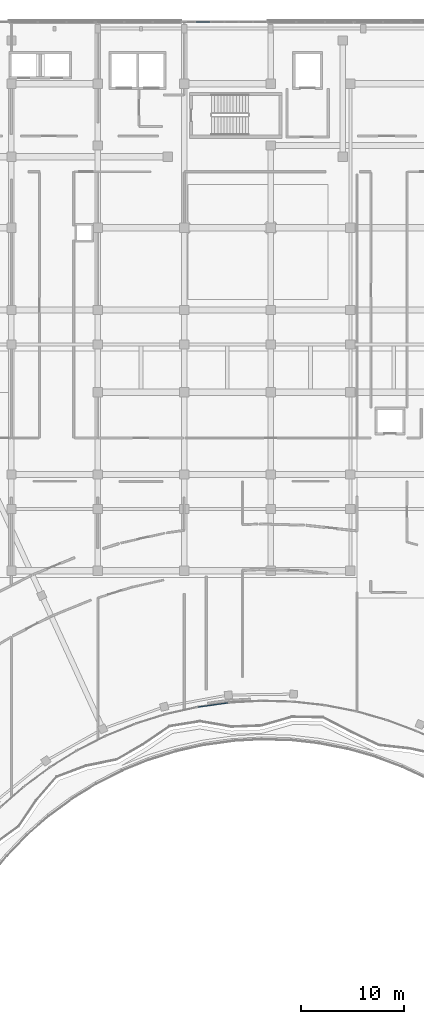
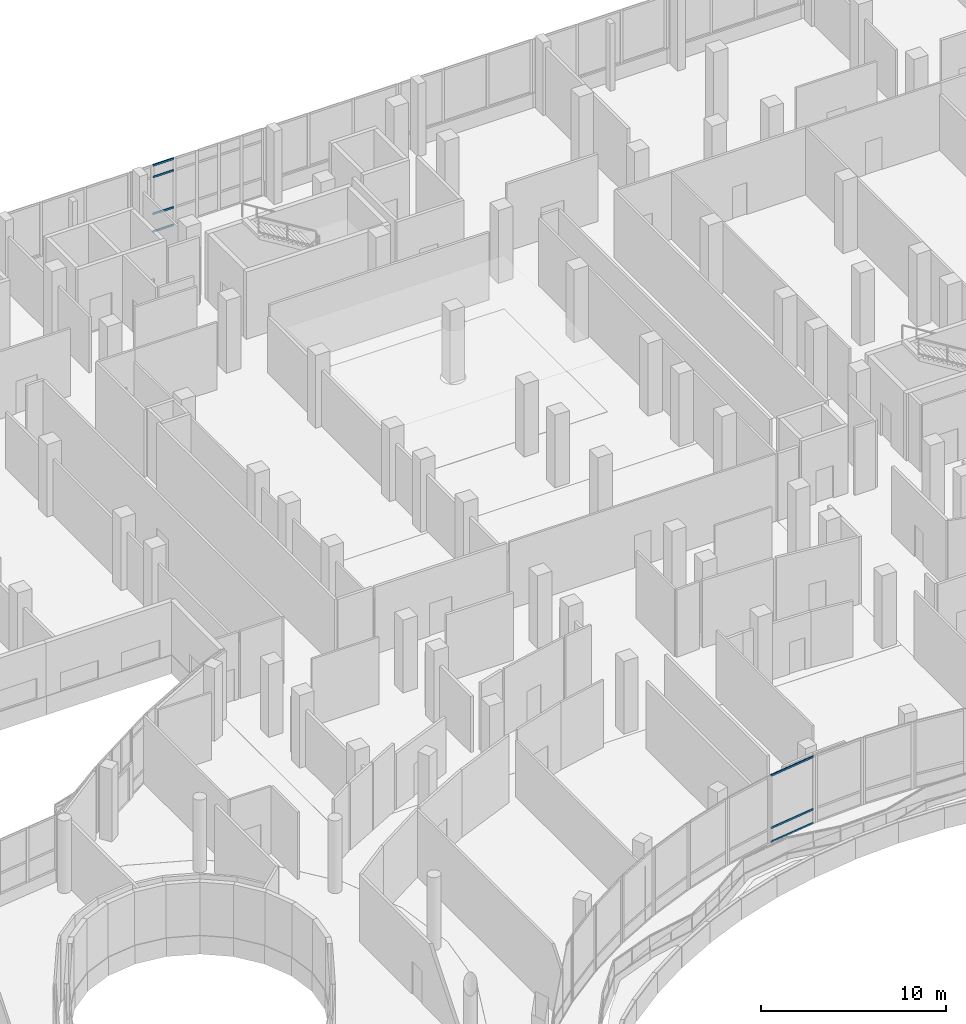
# One storey, part 100 of 168: 7 members, 2 elements without a shape of their own.
"""IFC4 building model written with IfcOpenShell, lengths in metres."""

import ifcopenshell
import ifcopenshell.guid

model = None  # the IFC model being written
_history = None  # IfcOwnerHistory: only IFC2X3 demands one
_inside = {}  # id of a spatial element -> (the spatial element, [elements in it])
_under = {}  # id of a project, library or spatial element -> (it, [spatial elements below it])
_declared = {}  # id of a project -> (the project, [libraries it declares])
_typed = {}  # id of a type object -> (the type object, [elements of that type])
_made_of = {}  # id of a material, layer set ... -> (it, [elements and type objects made of it])


def new_model(schema):
    """Start an empty IFC model of exactly this schema.

    Asked for "IFC4X3", IfcOpenShell would pick the latest addendum, in which some entities
    have other attributes; the version numbers below select the first issue.
    IFC2X3 requires an IfcOwnerHistory on every rooted entity: one is made here for all.
    """
    global model, _history
    if schema == "IFC4X3":
        model = ifcopenshell.file(schema_version=(4, 3, 0, 0))
    else:
        model = ifcopenshell.file(schema=schema)
    _inside.clear()
    _under.clear()
    _declared.clear()
    _typed.clear()
    _made_of.clear()
    _history = None
    if model.schema == "IFC2X3":
        org = make("IfcOrganization", Name="unknown")
        user = make(
            "IfcPersonAndOrganization",
            ThePerson=make("IfcPerson", FamilyName="unknown"),
            TheOrganization=org,
        )
        app = make(
            "IfcApplication",
            ApplicationDeveloper=org,
            Version="unknown",
            ApplicationFullName="unknown",
            ApplicationIdentifier="unknown",
        )
        _history = make(
            "IfcOwnerHistory",
            OwningUser=user,
            OwningApplication=app,
            ChangeAction="ADDED",
            CreationDate=0,
        )
    return model


def make(cls, **values):
    """One entity of the class cls with the attributes given. An attribute that is None is left unset."""
    return model.create_entity(
        cls, **{name: value for name, value in values.items() if value is not None}
    )


def rooted(cls, **values):
    """An entity with a GlobalId (a new one), such as an element, a storey or a relation."""
    return make(cls, GlobalId=ifcopenshell.guid.new(), OwnerHistory=_history, **values)


def si_unit(unit_type, name, prefix=None):
    """IfcSIUnit, for example si_unit("LENGTHUNIT", "METRE", prefix="MILLI")."""
    return make("IfcSIUnit", UnitType=unit_type, Prefix=prefix, Name=name)


def assignment(units):
    """IfcUnitAssignment: the units of a project."""
    return None if units is None else make("IfcUnitAssignment", Units=units)


def point(xyz):
    """IfcCartesianPoint."""
    return None if xyz is None else make("IfcCartesianPoint", Coordinates=xyz)


def direction(xyz):
    """IfcDirection."""
    return None if xyz is None else make("IfcDirection", DirectionRatios=xyz)


def frame(location, z_axis=None, x_axis=None):
    """IfcAxis2Placement3D, a coordinate frame: its origin and axes. An axis left out is left unset."""
    return make(
        "IfcAxis2Placement3D",
        Location=point(location),
        Axis=direction(z_axis),
        RefDirection=direction(x_axis),
    )


def frame_2d(location, x_axis=None):
    """IfcAxis2Placement2D, a coordinate frame in the plane: its origin and x axis."""
    return make(
        "IfcAxis2Placement2D", Location=point(location), RefDirection=direction(x_axis)
    )


def origin():
    """The frame at (0, 0, 0) with its axes left unset."""
    return frame((0.0, 0.0, 0.0))


def origin_2d():
    """The frame at (0, 0) in the plane with its x axis left unset."""
    return frame_2d((0.0, 0.0))


def place(relative_to, where):
    """IfcLocalPlacement: puts the frame where relative to a parent placement (None: the world)."""
    return make(
        "IfcLocalPlacement", PlacementRelTo=relative_to, RelativePlacement=where
    )


def context(
    kind, dimensions, precision=None, world=None, true_north=None, identifier=None
):
    """IfcGeometricRepresentationContext, for example the 3D "Model" context."""
    return make(
        "IfcGeometricRepresentationContext",
        ContextIdentifier=identifier,
        ContextType=kind,
        CoordinateSpaceDimension=dimensions,
        Precision=precision,
        WorldCoordinateSystem=world,
        TrueNorth=true_north,
    )


def subcontext(parent, identifier, kind, view, scale=None):
    """IfcGeometricRepresentationSubContext, for example "Body" below "Model"."""
    return make(
        "IfcGeometricRepresentationSubContext",
        ContextIdentifier=identifier,
        ContextType=kind,
        ParentContext=parent,
        TargetScale=scale,
        TargetView=view,
    )


def project(units=None, contexts=None):
    """IfcProject with its units and contexts."""
    return rooted(
        "IfcProject",
        Name="project",
        RepresentationContexts=contexts,
        UnitsInContext=assignment(units),
    )


def spatial(cls, under=None, at=None, **own):
    """A site, building, storey or space (cls), placed at a placement, below another one or the project."""
    s = rooted(cls, ObjectPlacement=at, **own)
    if under is not None:
        _under.setdefault(under.id(), (under, []))[1].append(s)
    return s


def profile(cls, at=None, kind="AREA", **sizes):
    """A parametric profile (cls). Its sizes go by their IFC names, for example OverallWidth=200.0."""
    return make(cls, ProfileType=kind, Position=at, **sizes)


def hollow_rectangle(**sizes):
    """IfcRectangleHollowProfileDef."""
    return profile("IfcRectangleHollowProfileDef", **sizes)


def extrude(swept, where, along, depth):
    """IfcExtrudedAreaSolid: the profile swept, set in the frame where, extruded along a direction by depth."""
    return make(
        "IfcExtrudedAreaSolid",
        SweptArea=swept,
        Position=where,
        ExtrudedDirection=direction(along),
        Depth=depth,
    )


def shape(context_of_items, identifier, shape_type, items):
    """IfcShapeRepresentation: the items that make up one representation, for example the "Body"."""
    return make(
        "IfcShapeRepresentation",
        ContextOfItems=context_of_items,
        RepresentationIdentifier=identifier,
        RepresentationType=shape_type,
        Items=items,
    )


def material(Name=None, Category=None):
    """IfcMaterial."""
    return make("IfcMaterial", Name=Name, Category=Category)


def material_profile(
    of_material, cross_section, Name=None, Category=None, Priority=None
):
    """IfcMaterialProfile: a cross section and its material."""
    return make(
        "IfcMaterialProfile",
        Name=Name,
        Material=of_material,
        Profile=cross_section,
        Priority=Priority,
        Category=Category,
    )


def profile_set(profiles, Name=None, composite=None):
    """IfcMaterialProfileSet."""
    return make(
        "IfcMaterialProfileSet",
        Name=Name,
        MaterialProfiles=profiles,
        CompositeProfile=composite,
    )


def made_of(thing, what):
    """Note that an element or type object is made of a material, layer set ...; save() writes the relation."""
    if what is not None:
        _made_of.setdefault(what.id(), (what, []))[1].append(thing)
    return thing


def type_object(cls, material=None, **own):
    """A type object (cls), such as IfcWallType, which elements share."""
    return made_of(rooted(cls, **own), material)


def element(
    cls,
    number,
    at=None,
    inside=None,
    cuts=None,
    type_object=None,
    material=None,
    context=None,
    identifier="Body",
    shape_type=None,
    held_by="IfcProductDefinitionShape",
    body=None,
    shapes=None,
    **own,
):
    """One element of the class cls, such as IfcWall. Its Tag is "e" and its number.

    at: its placement. inside: the storey or other place that contains it. cuts: it is an
    opening in that element (IfcRelVoidsElement). A single representation is given by context,
    identifier, shape_type and body (its items); several are given by shapes. held_by: the class
    of the entity that holds the representations. save() writes the other relations.
    """
    e = rooted(cls, Tag="e%d" % number, ObjectPlacement=at, **own)
    if body is not None:
        shapes = [shape(context, identifier, shape_type, body)]
    if shapes is not None:
        e.Representation = make(held_by, Representations=shapes)
    if inside is not None:
        _inside.setdefault(inside.id(), (inside, []))[1].append(e)
    if cuts is not None:
        rooted(
            "IfcRelVoidsElement", RelatingBuildingElement=cuts, RelatedOpeningElement=e
        )
    if type_object is not None:
        _typed.setdefault(type_object.id(), (type_object, []))[1].append(e)
    return made_of(e, material)


def aggregate(whole, parts):
    """IfcRelAggregates: a whole, such as a stair, and the parts it consists of."""
    return rooted("IfcRelAggregates", RelatingObject=whole, RelatedObjects=parts)


def save(model, path):
    """Write the relations noted so far, then the file.

    IfcRelAggregates (storeys below a building ...), IfcRelContainedInSpatialStructure (elements
    in a storey), IfcRelDefinesByType, IfcRelAssociatesMaterial and IfcRelDeclares: one each for
    every whole, place, type object, material and project.
    """
    for whole, parts in _under.values():
        aggregate(whole, parts)
    for where, things in _inside.values():
        rooted(
            "IfcRelContainedInSpatialStructure",
            RelatedElements=things,
            RelatingStructure=where,
        )
    for kind, things in _typed.values():
        rooted("IfcRelDefinesByType", RelatedObjects=things, RelatingType=kind)
    for what, things in _made_of.values():
        rooted("IfcRelAssociatesMaterial", RelatedObjects=things, RelatingMaterial=what)
    for by, libraries in _declared.values():
        rooted("IfcRelDeclares", RelatingContext=by, RelatedDefinitions=libraries)
    model.write(path)


model = new_model("IFC4")

# Units and contexts
model_context = context("Model", 3, precision=1e-05, world=origin(), true_north=direction((0.0, 1.0)))
body_context = subcontext(model_context, "Body", "Model", "MODEL_VIEW")
ifc_project = project(units=[si_unit("LENGTHUNIT", "METRE"), si_unit("AREAUNIT", "SQUARE_METRE"), si_unit("VOLUMEUNIT", "CUBIC_METRE"), si_unit("PLANEANGLEUNIT", "RADIAN"), si_unit("MASSUNIT", "GRAM", prefix="KILO")], contexts=[model_context])

# Site, building, storey
site_placement = place(None, origin())
site = spatial("IfcSite", under=ifc_project, at=site_placement, CompositionType="ELEMENT")
building_placement = place(site_placement, origin())
building = spatial("IfcBuilding", under=site, at=building_placement, Name="Selatvlak General Hospital", CompositionType="ELEMENT")
storey_placement = place(building_placement, frame((0.0, 0.0, 5.39990234375)))
storey = spatial("IfcBuildingStorey", under=building, at=storey_placement, Name="L01", CompositionType="ELEMENT", Elevation=5.39990234375)

# Curtain wall, members
ifc_material_1 = material(Name="Solar-control Low-E double glazing", Category="glass")
curtain_wall_type_1 = type_object("IfcCurtainWallType", Name="CW-CW-04", PredefinedType="USERDEFINED", material=ifc_material_1)
curtain_wall_1_placement = place(storey_placement, origin())
curtain_wall_1 = element("IfcCurtainWall", 1, at=curtain_wall_1_placement, inside=storey, type_object=curtain_wall_type_1, Name="Glazed facade curtain wall CW-L01-0126", ObjectType="STICK GLAZING WALL", PredefinedType="USERDEFINED")
ifc_material_2 = material(Name="Dark anodised aluminium mullion", Category="aluminium")
ifc_material_profile = material_profile(ifc_material_2, hollow_rectangle(XDim=0.06494140625, YDim=0.1201171875, WallThickness=0.00390625, at=origin_2d()), Name="AL-TRN 65x120x4")
ifc_profile_set = profile_set([ifc_material_profile], Name="Dark anodised aluminium mullion")
member_type = type_object("IfcMemberType", Name="CWT-01", PredefinedType="USERDEFINED", material=ifc_profile_set)
member_1_placement = place(storey_placement, frame((133.158203125, 120.0, 0.03271484375), z_axis=(1.0, 0.0, 0.0), x_axis=(0.0, 1.0, 0.0)))
member_1 = element("IfcMember", 2, at=member_1_placement, type_object=member_type, Name="CW-04 transom 2.1", ObjectType="TRANSOM", PredefinedType="USERDEFINED", context=body_context, shape_type="SweptSolid", body=[
    extrude(hollow_rectangle(XDim=0.06494140625, YDim=0.1201171875, WallThickness=0.00390625, at=origin_2d()), origin(), (0.0, 0.0, 1.0), 1.32666015625),
])
member_2_placement = place(storey_placement, frame((133.158203125, 120.0, 1.2001953125), z_axis=(1.0, 0.0, 0.0), x_axis=(0.0, 1.0, 0.0)))
member_2 = element("IfcMember", 3, at=member_2_placement, type_object=member_type, Name="CW-04 transom 2.2", ObjectType="TRANSOM", PredefinedType="USERDEFINED", context=body_context, shape_type="SweptSolid", body=[
    extrude(hollow_rectangle(XDim=0.06494140625, YDim=0.1201171875, WallThickness=0.00390625, at=origin_2d()), origin(), (0.0, 0.0, 1.0), 1.32666015625),
])
member_3_placement = place(storey_placement, frame((133.158203125, 120.0, 3.64501953125), z_axis=(1.0, 0.0, 0.0), x_axis=(0.0, 1.0, 0.0)))
member_3 = element("IfcMember", 4, at=member_3_placement, type_object=member_type, Name="CW-04 transom 2.3", ObjectType="TRANSOM", PredefinedType="USERDEFINED", context=body_context, shape_type="SweptSolid", body=[
    extrude(hollow_rectangle(XDim=0.06494140625, YDim=0.1201171875, WallThickness=0.00390625, at=origin_2d()), origin(), (0.0, 0.0, 1.0), 1.32666015625),
])
member_4_placement = place(storey_placement, frame((133.158203125, 120.0, 4.41259765625), z_axis=(1.0, 0.0, 0.0), x_axis=(0.0, 1.0, 0.0)))
member_4 = element("IfcMember", 5, at=member_4_placement, type_object=member_type, Name="CW-04 transom 2.4", ObjectType="TRANSOM", PredefinedType="USERDEFINED", context=body_context, shape_type="SweptSolid", body=[
    extrude(hollow_rectangle(XDim=0.06494140625, YDim=0.1201171875, WallThickness=0.00390625, at=origin_2d()), origin(), (0.0, 0.0, 1.0), 1.32666015625),
])
aggregate(curtain_wall_1, [member_1, member_2, member_3, member_4])

curtain_wall_type_2 = type_object("IfcCurtainWallType", Name="CW-CW-02", PredefinedType="USERDEFINED", material=ifc_material_1)
curtain_wall_2_placement = place(storey_placement, origin())
curtain_wall_2 = element("IfcCurtainWall", 6, at=curtain_wall_2_placement, inside=storey, type_object=curtain_wall_type_2, Name="Glazed facade curtain wall CW-L01-0154", ObjectType="UNITISED CURTAIN WALL", PredefinedType="USERDEFINED")
member_5_placement = place(storey_placement, frame((136.238525390625, 53.805908203125, 0.03271484375), z_axis=(-0.990380261948, -0.138372456597, 0.0), x_axis=(0.138372456597, -0.990380261948, 0.0)))
member_5 = element("IfcMember", 7, at=member_5_placement, type_object=member_type, Name="CW-02 transom 1.1", ObjectType="TRANSOM", PredefinedType="USERDEFINED", context=body_context, shape_type="SweptSolid", body=[
    extrude(hollow_rectangle(XDim=0.06494140625, YDim=0.1201171875, WallThickness=0.00390625, at=origin_2d()), origin(), (0.0, 0.0, 1.0), 2.904052734375),
])
member_6_placement = place(storey_placement, frame((136.238525390625, 53.805908203125, 0.9501953125), z_axis=(-0.990380261948, -0.138372456597, 0.0), x_axis=(0.138372456597, -0.990380261948, 0.0)))
member_6 = element("IfcMember", 8, at=member_6_placement, type_object=member_type, Name="CW-02 transom 1.2", ObjectType="TRANSOM", PredefinedType="USERDEFINED", context=body_context, shape_type="SweptSolid", body=[
    extrude(hollow_rectangle(XDim=0.06494140625, YDim=0.1201171875, WallThickness=0.00390625, at=origin_2d()), origin(), (0.0, 0.0, 1.0), 2.904052734375),
])
member_7_placement = place(storey_placement, frame((136.238525390625, 53.805908203125, 4.41259765625), z_axis=(-0.990380261948, -0.138372456597, 0.0), x_axis=(0.138372456597, -0.990380261948, 0.0)))
member_7 = element("IfcMember", 9, at=member_7_placement, type_object=member_type, Name="CW-02 transom 1.3", ObjectType="TRANSOM", PredefinedType="USERDEFINED", context=body_context, shape_type="SweptSolid", body=[
    extrude(hollow_rectangle(XDim=0.06494140625, YDim=0.1201171875, WallThickness=0.00390625, at=origin_2d()), origin(), (0.0, 0.0, 1.0), 2.904052734375),
])
aggregate(curtain_wall_2, [member_5, member_6, member_7])

save(model, "model.ifc")
